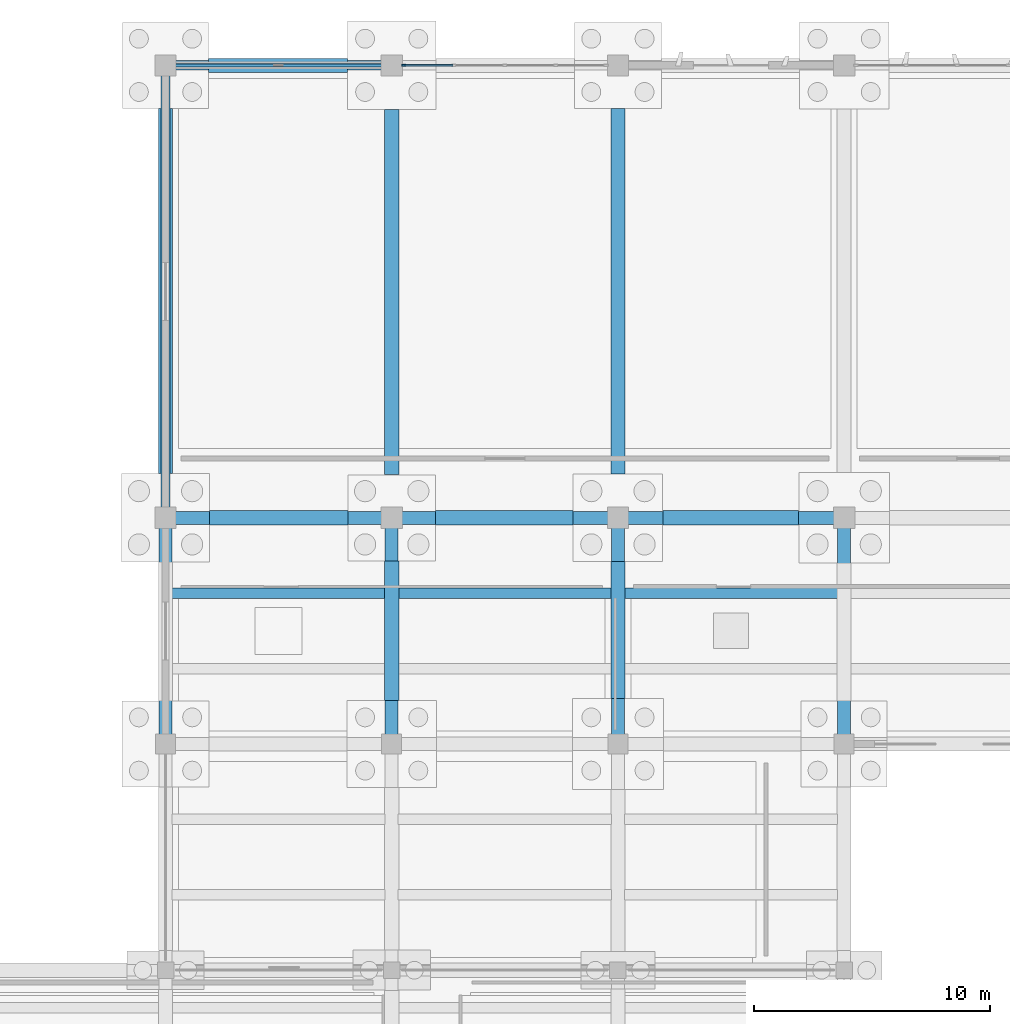
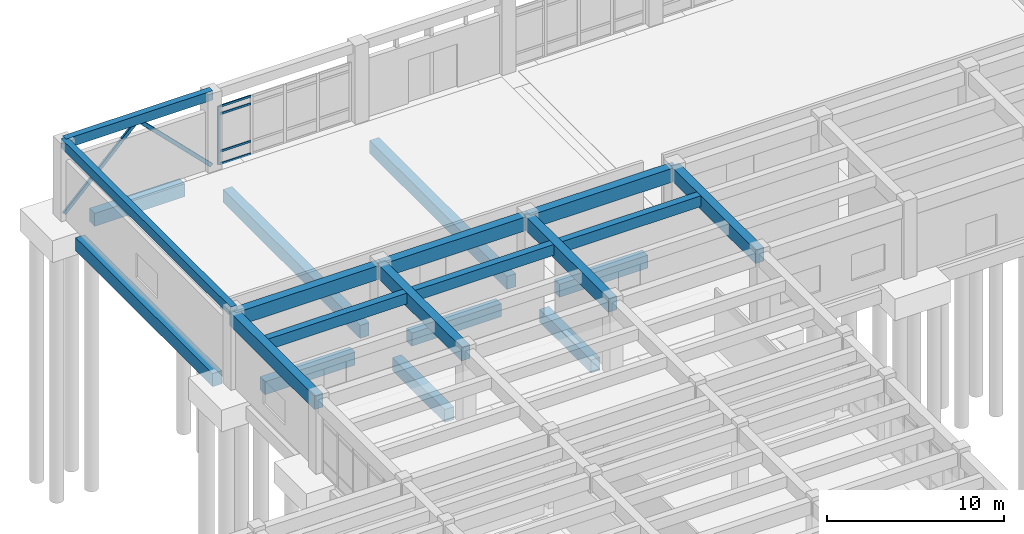
# One storey, part 34 of 102: 21 beams, 7 members, 1 element without a shape of its own.
"""IFC4 building model written with IfcOpenShell, lengths in metres."""

from ifc_helpers import new_model, si_unit, direction, frame, origin, origin_2d, place, context, subcontext, project, spatial, rectangle, hollow_rectangle, extrude, material, layer, layer_set, material_profile, profile_set, type_object, element, aggregate, save


model = new_model("IFC4")

# Units and contexts
model_context = context("Model", 3, precision=1e-05, world=origin(), true_north=direction((0.0, 1.0)))
body_context = subcontext(model_context, "Body", "Model", "MODEL_VIEW")
ifc_project = project(units=[si_unit("LENGTHUNIT", "METRE"), si_unit("AREAUNIT", "SQUARE_METRE"), si_unit("VOLUMEUNIT", "CUBIC_METRE"), si_unit("PLANEANGLEUNIT", "RADIAN"), si_unit("MASSUNIT", "GRAM", prefix="KILO")], contexts=[model_context])

# Site, building, storey
site_placement = place(None, origin())
site = spatial("IfcSite", under=ifc_project, at=site_placement, CompositionType="ELEMENT")
building_placement = place(site_placement, origin())
building = spatial("IfcBuilding", under=site, at=building_placement, Name="Kolvemor Railside Polytechnic", CompositionType="ELEMENT")
storey_placement = place(building_placement, origin())
storey = spatial("IfcBuildingStorey", under=building, at=storey_placement, Name="L00", CompositionType="ELEMENT", Elevation=0.0)

# Beams
ifc_material_1 = material(Name="Concrete C40/50", Category="concrete")
ifc_material_profile_1 = material_profile(ifc_material_1, rectangle(XDim=0.39990234375, YDim=0.64990234375, at=origin_2d()), Name="RC400x650")
ifc_profile_set_1 = profile_set([ifc_material_profile_1], Name="Concrete C40/50")
beam_type_1 = type_object("IfcBeamType", Name="BM-RC-EDGE", PredefinedType="LINTEL", material=ifc_profile_set_1)
beam_1_placement = place(storey_placement, frame((19.199951171875, 120.0, 5.074951171875), z_axis=(1.0, 0.0, 0.0), x_axis=(0.0, 1.0, 0.0)))
element("IfcBeam", 1, at=beam_1_placement, inside=storey, type_object=beam_type_1, Name="Workshop L01 Spandrel 2009", PredefinedType="LINTEL", context=body_context, shape_type="SweptSolid", body=[
    extrude(rectangle(XDim=0.39990234375, YDim=0.64990234375, at=origin_2d()), origin(), (0.0, 0.0, 1.0), 9.60009765625),
])
beam_2_placement = place(storey_placement, frame((19.199951171875, 100.800048828125, 5.074951171875), z_axis=(0.0, 1.0, 0.0), x_axis=(-1.0, 0.0, 0.0)))
element("IfcBeam", 2, at=beam_2_placement, inside=storey, type_object=beam_type_1, Name="Workshop West Spandrel 2023", PredefinedType="LINTEL", context=body_context, shape_type="SweptSolid", body=[
    extrude(rectangle(XDim=0.39990234375, YDim=0.64990234375, at=origin_2d()), origin(), (0.0, 0.0, 1.0), 19.199951171875),
])
ifc_material_2 = material(Name="Concrete C40/50", Category="concrete")
ifc_material_profile_2 = material_profile(ifc_material_2, rectangle(XDim=0.550048828125, YDim=0.949951171875, at=origin_2d()), Name="RC550x950")
ifc_profile_set_2 = profile_set([ifc_material_profile_2], Name="Concrete C40/50")
beam_type_2 = type_object("IfcBeamType", Name="BM-RC-GIRD", PredefinedType="BEAM", material=ifc_profile_set_2)
beam_3_placement = place(storey_placement, frame((19.199951171875, 100.800048828125, 4.635009765625), z_axis=(1.0, 0.0, 0.0), x_axis=(0.0, 1.0, 0.0)))
element("IfcBeam", 3, at=beam_3_placement, inside=storey, type_object=beam_type_2, Name="Primary Girder L01-GX 0505", PredefinedType="BEAM", context=body_context, shape_type="SweptSolid", body=[
    extrude(rectangle(XDim=0.550048828125, YDim=0.949951171875, at=origin_2d()), origin(), (0.0, 0.0, 1.0), 9.60009765625),
])
beam_4_placement = place(storey_placement, frame((28.800048828125, 100.800048828125, 4.635009765625), z_axis=(1.0, 0.0, 0.0), x_axis=(0.0, 1.0, 0.0)))
element("IfcBeam", 4, at=beam_4_placement, inside=storey, type_object=beam_type_2, Name="Primary Girder L01-GX 0506", PredefinedType="BEAM", context=body_context, shape_type="SweptSolid", body=[
    extrude(rectangle(XDim=0.550048828125, YDim=0.949951171875, at=origin_2d()), origin(), (0.0, 0.0, 1.0), 9.599853515625),
])
for number, where, z_axis, x_axis, name in (
    (5, (38.39990234375, 100.800048828125, 4.635009765625), (1.0, 0.0, 0.0), (0.0, 1.0, 0.0), "Primary Girder L01-GX 0507"),
    (6, (19.199951171875, 91.199951171875, 4.635009765625), (0.0, 1.0, 0.0), (-1.0, 0.0, 0.0), "Primary Girder L01-GY 0519"),
    (7, (28.800048828125, 91.199951171875, 4.635009765625), (0.0, 1.0, 0.0), (-1.0, 0.0, 0.0), "Primary Girder L01-GY 0520"),
    (8, (38.39990234375, 91.199951171875, 4.635009765625), (0.0, 1.0, 0.0), (-1.0, 0.0, 0.0), "Primary Girder L01-GY 0521"),
    (9, (48.0, 91.199951171875, 4.635009765625), (0.0, 1.0, 0.0), (-1.0, 0.0, 0.0), "Primary Girder L01-GY 0522"),
):
    element("IfcBeam", number, at=place(storey_placement, frame(where, z_axis=z_axis, x_axis=x_axis)), inside=storey, type_object=beam_type_2, Name=name, PredefinedType="BEAM", context=body_context, shape_type="SweptSolid", body=[
        extrude(rectangle(XDim=0.550048828125, YDim=0.949951171875, at=origin_2d()), origin(), (0.0, 0.0, 1.0), 9.60009765625),
    ])
ifc_material_3 = material(Name="Concrete C40/50", Category="concrete")
ifc_material_profile_3 = material_profile(ifc_material_3, rectangle(XDim=0.449951171875, YDim=0.75, at=origin_2d()), Name="RC450x750")
ifc_profile_set_3 = profile_set([ifc_material_profile_3], Name="Concrete C40/50")
beam_type_3 = type_object("IfcBeamType", Name="BM-RC-SEC", PredefinedType="JOIST", material=ifc_profile_set_3)
beam_5_placement = place(storey_placement, frame((19.47509765625, 97.60009765625, 4.735107421875), z_axis=(1.0, 0.0, 0.0), x_axis=(0.0, 1.0, 0.0)))
element("IfcBeam", 10, at=beam_5_placement, inside=storey, type_object=beam_type_3, Name="Floor Joist L01-J0535", PredefinedType="JOIST", context=body_context, shape_type="SweptSolid", body=[
    extrude(rectangle(XDim=0.449951171875, YDim=0.75, at=origin_2d()), origin(), (0.0, 0.0, 1.0), 9.0498046875),
])
for number, where, z_axis, x_axis, name in (
    (11, (29.074951171875, 97.60009765625, 4.735107421875), (1.0, 0.0, 0.0), (0.0, 1.0, 0.0), "Floor Joist L01-J0537"),
    (12, (38.675048828125, 97.60009765625, 4.735107421875), (1.0, 0.0, 0.0), (0.0, 1.0, 0.0), "Floor Joist L01-J0539"),
):
    element("IfcBeam", number, at=place(storey_placement, frame(where, z_axis=z_axis, x_axis=x_axis)), inside=storey, type_object=beam_type_3, Name=name, PredefinedType="JOIST", context=body_context, shape_type="SweptSolid", body=[
        extrude(rectangle(XDim=0.449951171875, YDim=0.75, at=origin_2d()), origin(), (0.0, 0.0, 1.0), 9.050048828125),
    ])
ifc_material_4 = material(Name="Concrete C40/50", Category="concrete")
ifc_material_profile_4 = material_profile(ifc_material_4, rectangle(XDim=0.60009765625, YDim=0.89990234375, at=origin_2d()), Name="RC600x900")
ifc_profile_set_4 = profile_set([ifc_material_profile_4], Name="Concrete C40/50")
beam_type_4 = type_object("IfcBeamType", Name="BM-RC-TIE", PredefinedType="BEAM", material=ifc_profile_set_4)
beam_6_placement = place(storey_placement, frame((21.076904296875, 100.800048828125, -0.75), z_axis=(1.0, 0.0, 0.0), x_axis=(0.0, 1.0, 0.0)))
element("IfcBeam", 13, at=beam_6_placement, inside=storey, type_object=beam_type_4, Name="Ground Tie Beam GTB-X200", PredefinedType="BEAM", context=body_context, shape_type="SweptSolid", body=[
    extrude(rectangle(XDim=0.60009765625, YDim=0.89990234375, at=origin_2d()), origin(), (0.0, 0.0, 1.0), 5.87109375),
])
beam_7_placement = place(storey_placement, frame((30.652099609375, 100.800048828125, -0.75), z_axis=(1.0, 0.0, 0.0), x_axis=(0.0, 1.0, 0.0)))
element("IfcBeam", 14, at=beam_7_placement, inside=storey, type_object=beam_type_4, Name="Ground Tie Beam GTB-X201", PredefinedType="BEAM", context=body_context, shape_type="SweptSolid", body=[
    extrude(rectangle(XDim=0.60009765625, YDim=0.89990234375, at=origin_2d()), origin(), (0.0, 0.0, 1.0), 5.845947265625),
])
beam_8_placement = place(storey_placement, frame((40.302001953125, 100.800048828125, -0.75), z_axis=(1.0, 0.0, 0.0), x_axis=(0.0, 1.0, 0.0)))
element("IfcBeam", 15, at=beam_8_placement, inside=storey, type_object=beam_type_4, Name="Ground Tie Beam GTB-X202", PredefinedType="BEAM", context=body_context, shape_type="SweptSolid", body=[
    extrude(rectangle(XDim=0.60009765625, YDim=0.89990234375, at=origin_2d()), origin(), (0.0, 0.0, 1.0), 5.77099609375),
])
beam_9_placement = place(storey_placement, frame((21.027099609375, 120.0, -0.75), z_axis=(1.0, 0.0, 0.0), x_axis=(0.0, 1.0, 0.0)))
element("IfcBeam", 16, at=beam_9_placement, inside=storey, type_object=beam_type_4, Name="Ground Tie Beam GTB-X214", PredefinedType="BEAM", context=body_context, shape_type="SweptSolid", body=[
    extrude(rectangle(XDim=0.60009765625, YDim=0.89990234375, at=origin_2d()), origin(), (0.0, 0.0, 1.0), 5.89599609375),
])
beam_10_placement = place(storey_placement, frame((19.199951171875, 102.677001953125, -0.75), z_axis=(0.0, 1.0, 0.0), x_axis=(-1.0, 0.0, 0.0)))
element("IfcBeam", 17, at=beam_10_placement, inside=storey, type_object=beam_type_4, Name="Ground Tie Beam GTB-Y260", PredefinedType="BEAM", context=body_context, shape_type="SweptSolid", body=[
    extrude(rectangle(XDim=0.60009765625, YDim=0.89990234375, at=origin_2d()), origin(), (0.0, 0.0, 1.0), 15.49609375),
])
beam_11_placement = place(storey_placement, frame((28.800048828125, 93.052001953125, -0.75), z_axis=(0.0, 1.0, 0.0), x_axis=(-1.0, 0.0, 0.0)))
element("IfcBeam", 18, at=beam_11_placement, inside=storey, type_object=beam_type_4, Name="Ground Tie Beam GTB-Y272", PredefinedType="BEAM", context=body_context, shape_type="SweptSolid", body=[
    extrude(rectangle(XDim=0.60009765625, YDim=0.89990234375, at=origin_2d()), origin(), (0.0, 0.0, 1.0), 5.9208984375),
])
beam_12_placement = place(storey_placement, frame((28.800048828125, 102.626953125, -0.75), z_axis=(0.0, 1.0, 0.0), x_axis=(-1.0, 0.0, 0.0)))
element("IfcBeam", 19, at=beam_12_placement, inside=storey, type_object=beam_type_4, Name="Ground Tie Beam GTB-Y273", PredefinedType="BEAM", context=body_context, shape_type="SweptSolid", body=[
    extrude(rectangle(XDim=0.60009765625, YDim=0.89990234375, at=origin_2d()), origin(), (0.0, 0.0, 1.0), 15.49609375),
])
beam_13_placement = place(storey_placement, frame((38.39990234375, 93.126953125, -0.75), z_axis=(0.0, 1.0, 0.0), x_axis=(-1.0, 0.0, 0.0)))
element("IfcBeam", 20, at=beam_13_placement, inside=storey, type_object=beam_type_4, Name="Ground Tie Beam GTB-Y285", PredefinedType="BEAM", context=body_context, shape_type="SweptSolid", body=[
    extrude(rectangle(XDim=0.60009765625, YDim=0.89990234375, at=origin_2d()), origin(), (0.0, 0.0, 1.0), 5.821044921875),
])
beam_14_placement = place(storey_placement, frame((38.39990234375, 102.652099609375, -0.75), z_axis=(0.0, 1.0, 0.0), x_axis=(-1.0, 0.0, 0.0)))
element("IfcBeam", 21, at=beam_14_placement, inside=storey, type_object=beam_type_4, Name="Ground Tie Beam GTB-Y286", PredefinedType="BEAM", context=body_context, shape_type="SweptSolid", body=[
    extrude(rectangle(XDim=0.60009765625, YDim=0.89990234375, at=origin_2d()), origin(), (0.0, 0.0, 1.0), 15.52099609375),
])

# Curtain wall, members
ifc_material_5 = material(Name="Anodised marine aluminium and laminated low-E glass", Category="aluminium")
ifc_layer = layer(ifc_material_5, 0.179931640625, Name="CW-UNIT-WKS")
ifc_layer_set = layer_set([ifc_layer], Name="Anodised marine aluminium and laminated low-E glass")
curtain_wall_type = type_object("IfcCurtainWallType", Name="CW-UNIT-WKS", PredefinedType="USERDEFINED", material=ifc_layer_set)
curtain_wall_placement = place(storey_placement, origin())
curtain_wall = element("IfcCurtainWall", 22, at=curtain_wall_placement, inside=storey, type_object=curtain_wall_type, Name="Curtain Wall L00-001", ObjectType="UNITISED CURTAIN WALL", PredefinedType="USERDEFINED")
ifc_material_6 = material(Name="Anodised marine aluminium 6063-T6", Category="aluminium")
ifc_material_profile_5 = material_profile(ifc_material_6, rectangle(XDim=0.074951171875, YDim=0.179931640625, at=origin_2d()), Name="CW-MUL-75x180")
ifc_profile_set_5 = profile_set([ifc_material_profile_5], Name="Anodised marine aluminium 6063-T6")
member_type_1 = type_object("IfcMemberType", Name="CWM-75x180", PredefinedType="MULLION", material=ifc_profile_set_5)
member_1_placement = place(storey_placement, frame((29.3076171875, 120.0, 0.0), z_axis=(0.0, 0.0, 1.0), x_axis=(0.0, -1.0, 0.0)))
member_1 = element("IfcMember", 23, at=member_1_placement, type_object=member_type_1, Name="CW-WKS mullion 5", PredefinedType="MULLION", context=body_context, shape_type="SweptSolid", body=[
    extrude(rectangle(XDim=0.074951171875, YDim=0.179931640625, at=origin_2d()), origin(), (0.0, 0.0, 1.0), 4.0400390625),
])
ifc_material_7 = material(Name="Anodised marine aluminium 6063-T6", Category="aluminium")
ifc_material_profile_6 = material_profile(ifc_material_7, rectangle(XDim=0.074951171875, YDim=0.139892578125, at=origin_2d()), Name="CW-TRN-75x140")
ifc_profile_set_6 = profile_set([ifc_material_profile_6], Name="Anodised marine aluminium 6063-T6")
member_type_2 = type_object("IfcMemberType", Name="CWT-75x140", PredefinedType="USERDEFINED", material=ifc_profile_set_6)
member_2_placement = place(storey_placement, frame((31.3974609375, 120.0, 0.03759765625), z_axis=(-1.0, 0.0, 0.0), x_axis=(0.0, -1.0, 0.0)))
member_2 = element("IfcMember", 24, at=member_2_placement, type_object=member_type_2, Name="CW-WKS transom 4.1", ObjectType="TRANSOM", PredefinedType="USERDEFINED", context=body_context, shape_type="SweptSolid", body=[
    extrude(rectangle(XDim=0.074951171875, YDim=0.139892578125, at=origin_2d()), origin(), (0.0, 0.0, 1.0), 2.052490234375),
])
member_3_placement = place(storey_placement, frame((31.3974609375, 120.0, 0.89990234375), z_axis=(-1.0, 0.0, 0.0), x_axis=(0.0, -1.0, 0.0)))
member_3 = element("IfcMember", 25, at=member_3_placement, type_object=member_type_2, Name="CW-WKS transom 4.2", ObjectType="TRANSOM", PredefinedType="USERDEFINED", context=body_context, shape_type="SweptSolid", body=[
    extrude(rectangle(XDim=0.074951171875, YDim=0.139892578125, at=origin_2d()), origin(), (0.0, 0.0, 1.0), 2.052490234375),
])
member_4_placement = place(storey_placement, frame((31.3974609375, 120.0, 3.489990234375), z_axis=(-1.0, 0.0, 0.0), x_axis=(0.0, -1.0, 0.0)))
member_4 = element("IfcMember", 26, at=member_4_placement, type_object=member_type_2, Name="CW-WKS transom 4.3", ObjectType="TRANSOM", PredefinedType="USERDEFINED", context=body_context, shape_type="SweptSolid", body=[
    extrude(rectangle(XDim=0.074951171875, YDim=0.139892578125, at=origin_2d()), origin(), (0.0, 0.0, 1.0), 2.052490234375),
])
member_5_placement = place(storey_placement, frame((31.3974609375, 120.0, 4.00244140625), z_axis=(-1.0, 0.0, 0.0), x_axis=(0.0, -1.0, 0.0)))
member_5 = element("IfcMember", 27, at=member_5_placement, type_object=member_type_2, Name="CW-WKS transom 4.4", ObjectType="TRANSOM", PredefinedType="USERDEFINED", context=body_context, shape_type="SweptSolid", body=[
    extrude(rectangle(XDim=0.074951171875, YDim=0.139892578125, at=origin_2d()), origin(), (0.0, 0.0, 1.0), 2.052490234375),
])
aggregate(curtain_wall, [member_1, member_2, member_3, member_4, member_5])

# Members
ifc_material_8 = material(Name="Steel S355", Category="steel")
ifc_material_profile_7 = material_profile(ifc_material_8, hollow_rectangle(XDim=0.14990234375, YDim=0.25, WallThickness=0.010009765625, InnerFilletRadius=0.010009765625, OuterFilletRadius=0.02001953125, at=origin_2d()), Name="HSS250x150x10")
ifc_profile_set_7 = profile_set([ifc_material_profile_7], Name="Steel S355")
member_type_3 = type_object("IfcMemberType", Name="MEM-BR-HSS1", PredefinedType="BRACE", material=ifc_profile_set_7)
for number, where, z_axis, x_axis, name in (
    (28, (19.199951171875, 120.0, 0.14990234375), (0.707106781187, 0.0, 0.707106781187), (0.0, 1.0, 0.0), "Wind Chevron Brace BR-01A"),
    (29, (28.800048828125, 120.0, 0.14990234375), (-0.707106781187, 0.0, 0.707106781187), (0.0, -1.0, 0.0), "Wind Chevron Brace BR-01B"),
):
    element("IfcMember", number, at=place(storey_placement, frame(where, z_axis=z_axis, x_axis=x_axis)), inside=storey, type_object=member_type_3, Name=name, PredefinedType="BRACE", context=body_context, shape_type="SweptSolid", body=[
        extrude(hollow_rectangle(XDim=0.14990234375, YDim=0.25, WallThickness=0.010009765625, InnerFilletRadius=0.010009765625, OuterFilletRadius=0.02001953125, at=origin_2d()), origin(), (0.0, 0.0, 1.0), 6.788330078125),
    ])

save(model, "model.ifc")
